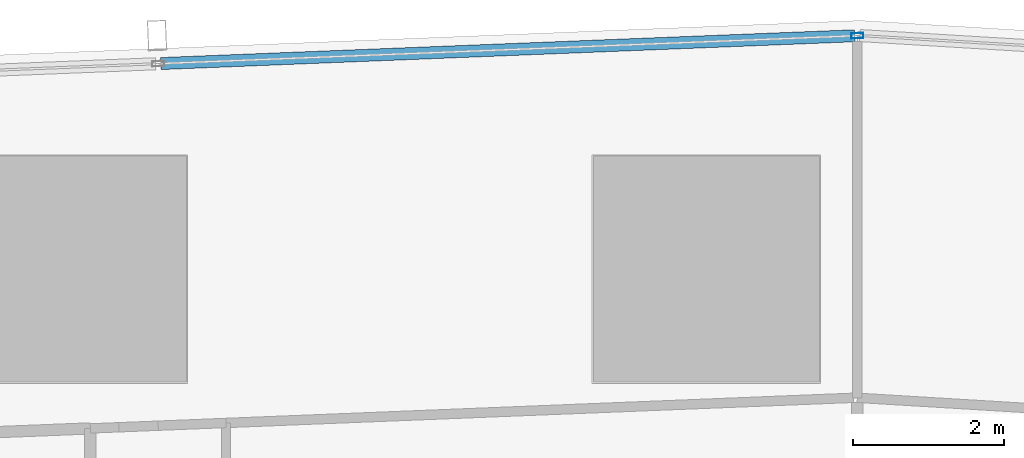
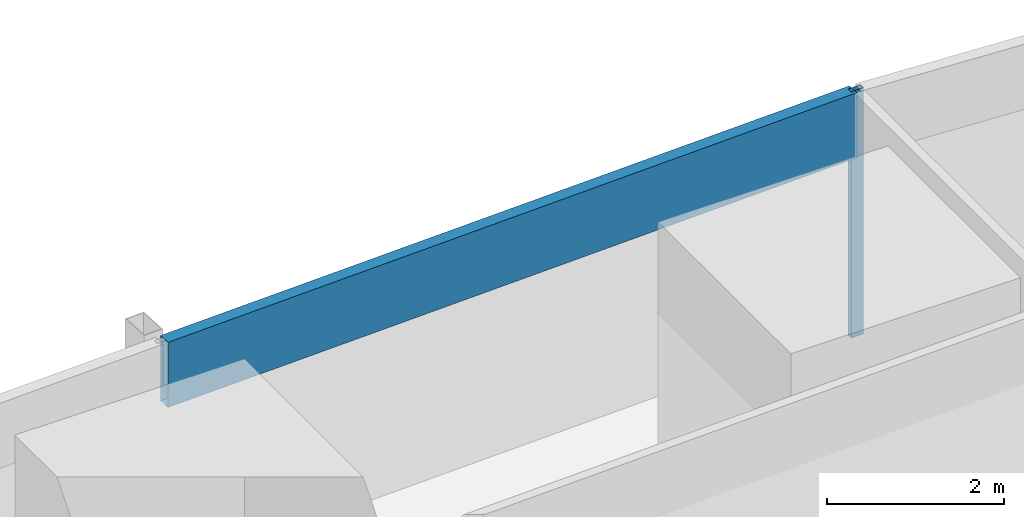
# One storey, part 21 of 38: 2 members, 1 element without a shape of its own.
"""IFC4 building model written with IfcOpenShell, lengths in metres."""

from ifc_helpers import new_model, si_unit, direction, frame, origin, origin_2d, place, context, subcontext, project, spatial, hollow_rectangle, extrude, material, material_profile, profile_set, type_object, element, aggregate, save


model = new_model("IFC4")

# Units and contexts
model_context = context("Model", 3, precision=1e-05, world=origin(), true_north=direction((0.0, 1.0)))
body_context = subcontext(model_context, "Body", "Model", "MODEL_VIEW")
ifc_project = project(units=[si_unit("LENGTHUNIT", "METRE"), si_unit("AREAUNIT", "SQUARE_METRE"), si_unit("VOLUMEUNIT", "CUBIC_METRE"), si_unit("PLANEANGLEUNIT", "RADIAN"), si_unit("MASSUNIT", "GRAM", prefix="KILO")], contexts=[model_context])

# Site, building, storey
site_placement = place(None, origin())
site = spatial("IfcSite", under=ifc_project, at=site_placement, CompositionType="ELEMENT")
building_placement = place(site_placement, origin())
building = spatial("IfcBuilding", under=site, at=building_placement, Name="Rekha Terrace Tower", CompositionType="ELEMENT")
storey_placement = place(building_placement, frame((0.0, 0.0, 159.050048828125)))
storey = spatial("IfcBuildingStorey", under=building, at=storey_placement, Name="L40", CompositionType="ELEMENT", Elevation=159.050048828125)

# Curtain wall, members
ifc_material_1 = material(Name="Aluminium framing", Category="aluminium")
curtain_wall_type = type_object("IfcCurtainWallType", Name="CW3 north unitised glazing", PredefinedType="USERDEFINED", material=ifc_material_1)
curtain_wall_placement = place(storey_placement, origin())
curtain_wall = element("IfcCurtainWall", 1, at=curtain_wall_placement, inside=storey, type_object=curtain_wall_type, Name="CW3 unitised curtain wall", ObjectType="UNITISED CURTAIN WALL", PredefinedType="USERDEFINED")
ifc_material_2 = material(Name="Aluminium mullion section", Category="aluminium")
ifc_material_profile_1 = material_profile(ifc_material_2, hollow_rectangle(XDim=0.070068359375, YDim=0.159912109375, WallThickness=0.00390625, at=origin_2d()), Name="AL RHS 70x160")
ifc_profile_set_1 = profile_set([ifc_material_profile_1], Name="Aluminium mullion section")
member_type_1 = type_object("IfcMemberType", Name="CW3 mullion RHS 70 x 160", PredefinedType="MULLION", material=ifc_profile_set_1)
member_1_placement = place(storey_placement, frame((44.0029296875, 61.8984375, 0.0), z_axis=(0.0, 0.0, 1.0), x_axis=(0.040031987119, -0.999198398721, 0.0)))
member_1 = element("IfcMember", 2, at=member_1_placement, type_object=member_type_1, Name="CW3 mullion 1", PredefinedType="MULLION", context=body_context, shape_type="SweptSolid", body=[
    extrude(hollow_rectangle(XDim=0.070068359375, YDim=0.159912109375, WallThickness=0.00390625, at=origin_2d()), origin(), (0.0, 0.0, 1.0), 3.39990234375),
])
ifc_material_3 = material(Name="Insulated aluminium spandrel box", Category="aluminium")
ifc_material_profile_2 = material_profile(ifc_material_3, hollow_rectangle(XDim=0.159912109375, YDim=0.89990234375, WallThickness=0.0029296875, at=origin_2d()), Name="AL SPANDREL BOX 160x900")
ifc_profile_set_2 = profile_set([ifc_material_profile_2], Name="Insulated aluminium spandrel box")
member_type_2 = type_object("IfcMemberType", Name="CW3 spandrel transom 160 x 900", PredefinedType="USERDEFINED", material=ifc_profile_set_2)
member_2_placement = place(storey_placement, frame((43.968017578125, 61.89697265625, 2.949951171875), z_axis=(-0.999198290018, -0.04003470026, 0.0), x_axis=(0.04003470026, -0.999198290018, 0.0)))
member_2 = element("IfcMember", 3, at=member_2_placement, type_object=member_type_2, Name="CW3 spandrel transom 1", ObjectType="TRANSOM", PredefinedType="USERDEFINED", context=body_context, shape_type="SweptSolid", body=[
    extrude(hollow_rectangle(XDim=0.159912109375, YDim=0.89990234375, WallThickness=0.0029296875, at=origin_2d()), origin(), (0.0, 0.0, 1.0), 9.21435546875),
])
aggregate(curtain_wall, [member_1, member_2])

save(model, "model.ifc")
